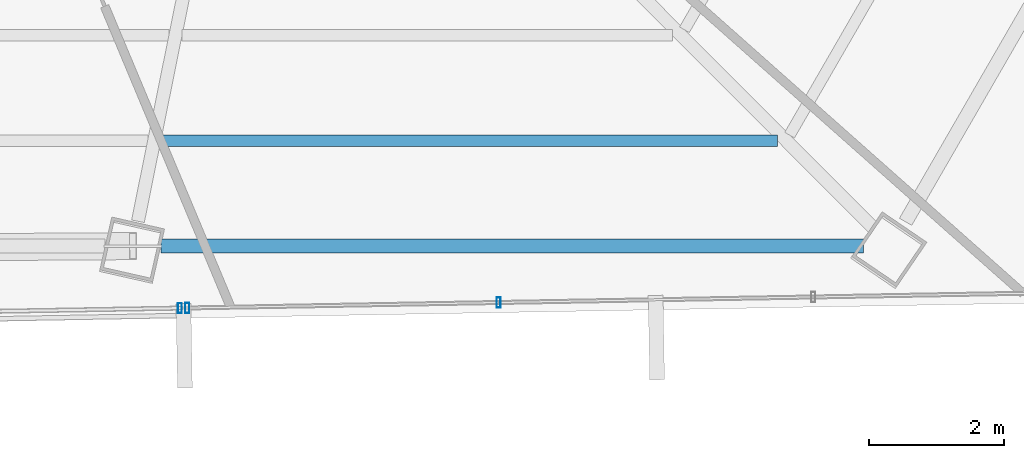
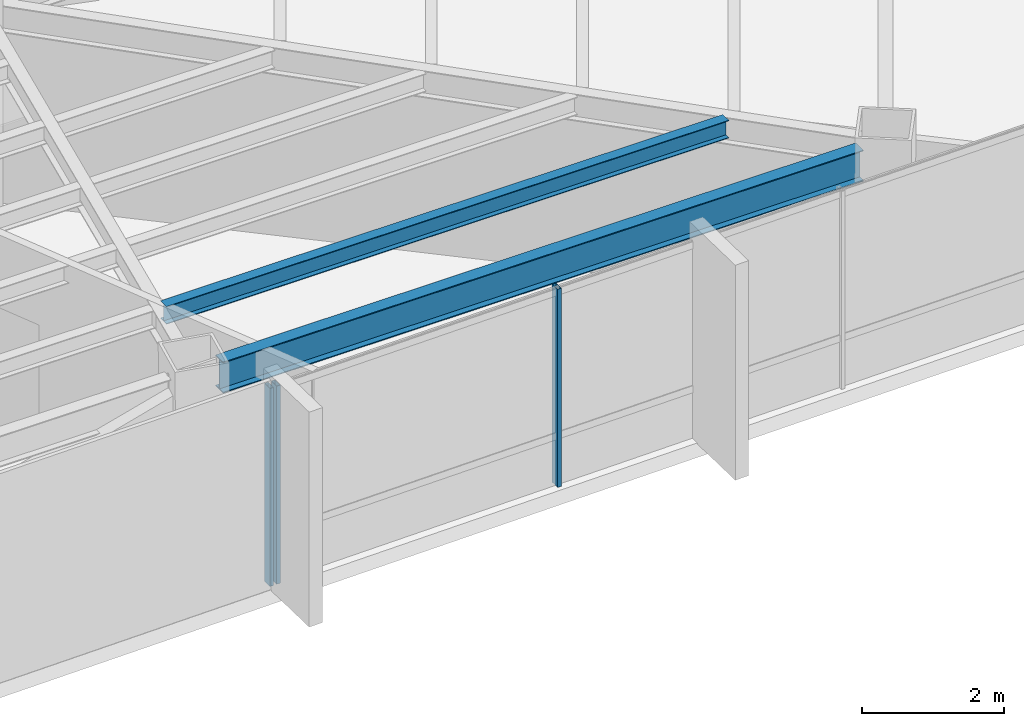
# One storey, part 18 of 42: 3 members, 2 beams, 2 elements without a shape of their own.
"""IFC4 building model written with IfcOpenShell, lengths in metres."""

from ifc_helpers import new_model, si_unit, direction, frame, origin, origin_2d, place, context, subcontext, project, spatial, hollow_rectangle, i_section, extrude, source, transform, mapped, material, material_profile, profile_set, type_object, type_shapes, element, aggregate, save


model = new_model("IFC4")

# Units and contexts
model_context = context("Model", 3, precision=1e-05, world=origin(), true_north=direction((0.0, 1.0)))
body_context = subcontext(model_context, "Body", "Model", "MODEL_VIEW")
ifc_project = project(units=[si_unit("LENGTHUNIT", "METRE"), si_unit("AREAUNIT", "SQUARE_METRE"), si_unit("VOLUMEUNIT", "CUBIC_METRE"), si_unit("PLANEANGLEUNIT", "RADIAN"), si_unit("MASSUNIT", "GRAM", prefix="KILO")], contexts=[model_context])

# Site, building, storey
site_placement = place(None, origin())
site = spatial("IfcSite", under=ifc_project, at=site_placement, CompositionType="ELEMENT")
building_placement = place(site_placement, origin())
building = spatial("IfcBuilding", under=site, at=building_placement, Name="Caelisora Broadcast Tower", CompositionType="ELEMENT")
storey_placement = place(building_placement, frame((0.0, 0.0, 187.699951171875)))
storey = spatial("IfcBuildingStorey", under=building, at=storey_placement, Name="L49", CompositionType="ELEMENT", Elevation=187.699951171875)

# Beams
ifc_material_1 = material(Name="Steel Grade 350 (AS/NZS 3679.1)", Category="steel")
ifc_material_profile_1 = material_profile(ifc_material_1, i_section(OverallWidth=0.208984375, OverallDepth=0.532958984375, WebThickness=0.01025390625, FlangeThickness=0.015625, at=origin_2d()), Name="Steel Grade 350 (AS/NZS 3679.1)")
ifc_profile_set_1 = profile_set([ifc_material_profile_1], Name="Steel Grade 350 (AS/NZS 3679.1)")
beam_type_1 = type_object("IfcBeamType", Name="PG05", PredefinedType="BEAM", material=ifc_profile_set_1)
shared_shape_1 = source(origin(), body_context, "Body", "SweptSolid", [
    extrude(i_section(OverallWidth=0.208984375, OverallDepth=0.532958984375, WebThickness=0.01025390625, FlangeThickness=0.015625, at=origin_2d()), origin(), (0.0, 0.0, 1.0), 10.393310546875),
])
type_shapes(beam_type_1, [shared_shape_1])
beam_1_placement = place(storey_placement, frame((44.028564453125, 8.04345703125, 3.133544921875), z_axis=(1.0, 0.0, 0.0), x_axis=(0.0, 1.0, 0.0)))
element("IfcBeam", 1, at=beam_1_placement, inside=storey, type_object=beam_type_1, Name="L49 beam PG05", PredefinedType="BEAM", context=body_context, shape_type="MappedRepresentation", body=[
    mapped(shared_shape_1, transform((0.0, 0.0, 0.0), scale=1.0)),
])
ifc_material_profile_2 = material_profile(ifc_material_1, i_section(OverallWidth=0.166015625, OverallDepth=0.30712890625, WebThickness=0.006591796875, FlangeThickness=0.01171875, at=origin_2d()), Name="Steel Grade 350 (AS/NZS 3679.1)")
ifc_profile_set_2 = profile_set([ifc_material_profile_2], Name="Steel Grade 350 (AS/NZS 3679.1)")
beam_type_2 = type_object("IfcBeamType", Name="SB03", PredefinedType="JOIST", material=ifc_profile_set_2)
shared_shape_2 = source(origin(), body_context, "Body", "SweptSolid", [
    extrude(i_section(OverallWidth=0.166015625, OverallDepth=0.30712890625, WebThickness=0.006591796875, FlangeThickness=0.01171875, at=origin_2d()), origin(), (0.0, 0.0, 1.0), 9.128173828125),
])
type_shapes(beam_type_2, [shared_shape_2])
beam_2_placement = place(storey_placement, frame((44.021484375, 9.602783203125, 3.246337890625), z_axis=(1.0, 0.0, 0.0), x_axis=(0.0, 1.0, 0.0)))
element("IfcBeam", 2, at=beam_2_placement, inside=storey, type_object=beam_type_2, Name="L49 beam SB03", PredefinedType="JOIST", context=body_context, shape_type="MappedRepresentation", body=[
    mapped(shared_shape_2, transform((0.0, 0.0, 0.0), scale=1.0)),
])

# Curtain wall, members
ifc_material_2 = material(Name="Unitised Aluminium and Low-E Glass Curtain Wall", Category="glass")
curtain_wall_type_1 = type_object("IfcCurtainWallType", Name="CW-Z4", PredefinedType="NOTDEFINED", material=ifc_material_2)
curtain_wall_1_placement = place(storey_placement, origin())
curtain_wall_1 = element("IfcCurtainWall", 3, at=curtain_wall_1_placement, inside=storey, type_object=curtain_wall_type_1, Name="L49 curtain wall CW-Z4", PredefinedType="NOTDEFINED")
ifc_material_3 = material(Name="Aluminium 6063-T6 Anodised Terracotta Bronze", Category="aluminium")
ifc_material_profile_3 = material_profile(ifc_material_3, hollow_rectangle(XDim=0.06005859375, YDim=0.14990234375, WallThickness=0.00341796875, at=origin_2d()), Name="Aluminium 6063-T6 Anodised Terracotta Bronze")
ifc_profile_set_3 = profile_set([ifc_material_profile_3], Name="Aluminium 6063-T6 Anodised Terracotta Bronze")
member_type = type_object("IfcMemberType", Name="CWM-03", PredefinedType="MULLION", material=ifc_profile_set_3)
shared_shape_3 = source(origin(), body_context, "Body", "SweptSolid", [
    extrude(hollow_rectangle(XDim=0.06005859375, YDim=0.14990234375, WallThickness=0.00341796875, at=origin_2d()), origin(), (0.0, 0.0, 1.0), 3.400146484375),
])
type_shapes(member_type, [shared_shape_3])
member_1_placement = place(storey_placement, frame((49.0224609375, 7.209228515625, 0.0), z_axis=(0.0, 0.0, 1.0), x_axis=(1.0, 0.0, 0.0)))
member_1 = element("IfcMember", 4, at=member_1_placement, type_object=member_type, Name="L49-CW-B05 mullion #2", PredefinedType="MULLION", context=body_context, shape_type="MappedRepresentation", body=[
    mapped(shared_shape_3, transform((0.0, 0.0, 0.0), scale=1.0)),
])
member_2_placement = place(storey_placement, frame((44.416015625, 7.12841796875, 0.0), z_axis=(0.0, 0.0, 1.0), x_axis=(1.0, 0.0, 0.0)))
member_2 = element("IfcMember", 5, at=member_2_placement, type_object=member_type, Name="L49-CW-B05 mullion #3", PredefinedType="MULLION", context=body_context, shape_type="MappedRepresentation", body=[
    mapped(shared_shape_3, transform((0.0, 0.0, 0.0), scale=1.0)),
])
aggregate(curtain_wall_1, [member_1, member_2])

# Curtain wall, member
ifc_material_4 = material(Name="Unitised Aluminium Insulated Shadow-Box Spandrel Curtain Wall", Category="aluminium")
curtain_wall_type_2 = type_object("IfcCurtainWallType", Name="CW-SP2", PredefinedType="NOTDEFINED", material=ifc_material_4)
curtain_wall_2_placement = place(storey_placement, origin())
curtain_wall_2 = element("IfcCurtainWall", 6, at=curtain_wall_2_placement, inside=storey, type_object=curtain_wall_type_2, Name="L49 curtain wall CW-SP2", PredefinedType="NOTDEFINED")
member_3_placement = place(storey_placement, frame((44.30615234375, 7.12646484375, 0.0), z_axis=(0.0, 0.0, 1.0), x_axis=(1.0, 0.0, 0.0)))
member_3 = element("IfcMember", 7, at=member_3_placement, type_object=member_type, Name="L49-CW-B06 mullion #0", PredefinedType="MULLION", context=body_context, shape_type="MappedRepresentation", body=[
    mapped(shared_shape_3, transform((0.0, 0.0, 0.0), scale=1.0)),
])
aggregate(curtain_wall_2, [member_3])

save(model, "model.ifc")
